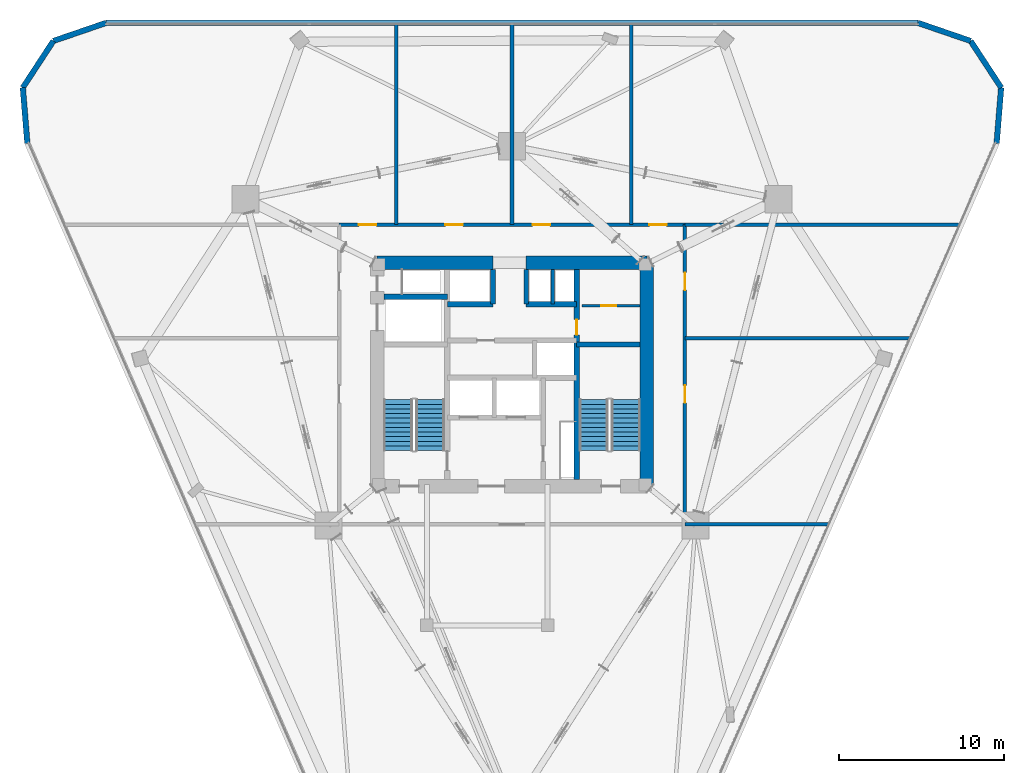
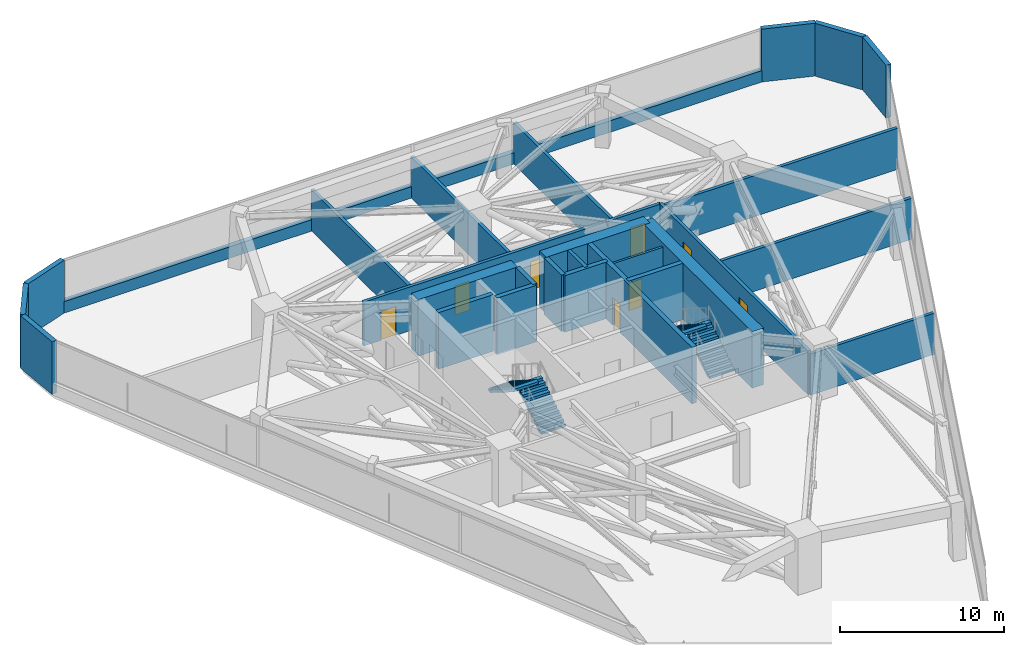
# One storey, part 13 of 14: 27 walls, 8 doors, 4 stair flights, 8 openings, 2 elements without a shape of their own.
"""IFC4 building model written with IfcOpenShell, lengths in metres."""

import ifcopenshell
import ifcopenshell.guid

model = None  # the IFC model being written
_history = None  # IfcOwnerHistory: only IFC2X3 demands one
_inside = {}  # id of a spatial element -> (the spatial element, [elements in it])
_under = {}  # id of a project, library or spatial element -> (it, [spatial elements below it])
_declared = {}  # id of a project -> (the project, [libraries it declares])
_typed = {}  # id of a type object -> (the type object, [elements of that type])
_made_of = {}  # id of a material, layer set ... -> (it, [elements and type objects made of it])


def new_model(schema):
    """Start an empty IFC model of exactly this schema.

    Asked for "IFC4X3", IfcOpenShell would pick the latest addendum, in which some entities
    have other attributes; the version numbers below select the first issue.
    IFC2X3 requires an IfcOwnerHistory on every rooted entity: one is made here for all.
    """
    global model, _history
    if schema == "IFC4X3":
        model = ifcopenshell.file(schema_version=(4, 3, 0, 0))
    else:
        model = ifcopenshell.file(schema=schema)
    _inside.clear()
    _under.clear()
    _declared.clear()
    _typed.clear()
    _made_of.clear()
    _history = None
    if model.schema == "IFC2X3":
        org = make("IfcOrganization", Name="unknown")
        user = make(
            "IfcPersonAndOrganization",
            ThePerson=make("IfcPerson", FamilyName="unknown"),
            TheOrganization=org,
        )
        app = make(
            "IfcApplication",
            ApplicationDeveloper=org,
            Version="unknown",
            ApplicationFullName="unknown",
            ApplicationIdentifier="unknown",
        )
        _history = make(
            "IfcOwnerHistory",
            OwningUser=user,
            OwningApplication=app,
            ChangeAction="ADDED",
            CreationDate=0,
        )
    return model


def make(cls, **values):
    """One entity of the class cls with the attributes given. An attribute that is None is left unset."""
    return model.create_entity(
        cls, **{name: value for name, value in values.items() if value is not None}
    )


def rooted(cls, **values):
    """An entity with a GlobalId (a new one), such as an element, a storey or a relation."""
    return make(cls, GlobalId=ifcopenshell.guid.new(), OwnerHistory=_history, **values)


def si_unit(unit_type, name, prefix=None):
    """IfcSIUnit, for example si_unit("LENGTHUNIT", "METRE", prefix="MILLI")."""
    return make("IfcSIUnit", UnitType=unit_type, Prefix=prefix, Name=name)


def assignment(units):
    """IfcUnitAssignment: the units of a project."""
    return None if units is None else make("IfcUnitAssignment", Units=units)


def point(xyz):
    """IfcCartesianPoint."""
    return None if xyz is None else make("IfcCartesianPoint", Coordinates=xyz)


def direction(xyz):
    """IfcDirection."""
    return None if xyz is None else make("IfcDirection", DirectionRatios=xyz)


def frame(location, z_axis=None, x_axis=None):
    """IfcAxis2Placement3D, a coordinate frame: its origin and axes. An axis left out is left unset."""
    return make(
        "IfcAxis2Placement3D",
        Location=point(location),
        Axis=direction(z_axis),
        RefDirection=direction(x_axis),
    )


def frame_2d(location, x_axis=None):
    """IfcAxis2Placement2D, a coordinate frame in the plane: its origin and x axis."""
    return make(
        "IfcAxis2Placement2D", Location=point(location), RefDirection=direction(x_axis)
    )


def origin():
    """The frame at (0, 0, 0) with its axes left unset."""
    return frame((0.0, 0.0, 0.0))


def place(relative_to, where):
    """IfcLocalPlacement: puts the frame where relative to a parent placement (None: the world)."""
    return make(
        "IfcLocalPlacement", PlacementRelTo=relative_to, RelativePlacement=where
    )


def context(
    kind, dimensions, precision=None, world=None, true_north=None, identifier=None
):
    """IfcGeometricRepresentationContext, for example the 3D "Model" context."""
    return make(
        "IfcGeometricRepresentationContext",
        ContextIdentifier=identifier,
        ContextType=kind,
        CoordinateSpaceDimension=dimensions,
        Precision=precision,
        WorldCoordinateSystem=world,
        TrueNorth=true_north,
    )


def subcontext(parent, identifier, kind, view, scale=None):
    """IfcGeometricRepresentationSubContext, for example "Body" below "Model"."""
    return make(
        "IfcGeometricRepresentationSubContext",
        ContextIdentifier=identifier,
        ContextType=kind,
        ParentContext=parent,
        TargetScale=scale,
        TargetView=view,
    )


def project(units=None, contexts=None):
    """IfcProject with its units and contexts."""
    return rooted(
        "IfcProject",
        Name="project",
        RepresentationContexts=contexts,
        UnitsInContext=assignment(units),
    )


def spatial(cls, under=None, at=None, **own):
    """A site, building, storey or space (cls), placed at a placement, below another one or the project."""
    s = rooted(cls, ObjectPlacement=at, **own)
    if under is not None:
        _under.setdefault(under.id(), (under, []))[1].append(s)
    return s


def polyline(points):
    """IfcPolyline through the points."""
    return make("IfcPolyline", Points=[point(p) for p in points])


def profile(cls, at=None, kind="AREA", **sizes):
    """A parametric profile (cls). Its sizes go by their IFC names, for example OverallWidth=200.0."""
    return make(cls, ProfileType=kind, Position=at, **sizes)


def rectangle(**sizes):
    """IfcRectangleProfileDef."""
    return profile("IfcRectangleProfileDef", **sizes)


def outline(outer, holes=None, kind="AREA"):
    """IfcArbitraryClosedProfileDef: a profile drawn as a closed curve; with holes, ...WithVoids."""
    if holes is None:
        return make("IfcArbitraryClosedProfileDef", ProfileType=kind, OuterCurve=outer)
    return make(
        "IfcArbitraryProfileDefWithVoids",
        ProfileType=kind,
        OuterCurve=outer,
        InnerCurves=holes,
    )


def extrude(swept, where, along, depth):
    """IfcExtrudedAreaSolid: the profile swept, set in the frame where, extruded along a direction by depth."""
    return make(
        "IfcExtrudedAreaSolid",
        SweptArea=swept,
        Position=where,
        ExtrudedDirection=direction(along),
        Depth=depth,
    )


def shape(context_of_items, identifier, shape_type, items):
    """IfcShapeRepresentation: the items that make up one representation, for example the "Body"."""
    return make(
        "IfcShapeRepresentation",
        ContextOfItems=context_of_items,
        RepresentationIdentifier=identifier,
        RepresentationType=shape_type,
        Items=items,
    )


def material(Name=None, Category=None):
    """IfcMaterial."""
    return make("IfcMaterial", Name=Name, Category=Category)


def layer(
    of_material, thickness, ventilated=None, Name=None, Category=None, Priority=None
):
    """IfcMaterialLayer: one layer of a wall or slab, of a material (None: an air gap)."""
    return make(
        "IfcMaterialLayer",
        Material=of_material,
        LayerThickness=thickness,
        IsVentilated=ventilated,
        Name=Name,
        Category=Category,
        Priority=Priority,
    )


def layer_set(layers, Name=None):
    """IfcMaterialLayerSet."""
    return make("IfcMaterialLayerSet", MaterialLayers=layers, LayerSetName=Name)


def made_of(thing, what):
    """Note that an element or type object is made of a material, layer set ...; save() writes the relation."""
    if what is not None:
        _made_of.setdefault(what.id(), (what, []))[1].append(thing)
    return thing


def type_object(cls, material=None, **own):
    """A type object (cls), such as IfcWallType, which elements share."""
    return made_of(rooted(cls, **own), material)


def element(
    cls,
    number,
    at=None,
    inside=None,
    cuts=None,
    type_object=None,
    material=None,
    context=None,
    identifier="Body",
    shape_type=None,
    held_by="IfcProductDefinitionShape",
    body=None,
    shapes=None,
    **own,
):
    """One element of the class cls, such as IfcWall. Its Tag is "e" and its number.

    at: its placement. inside: the storey or other place that contains it. cuts: it is an
    opening in that element (IfcRelVoidsElement). A single representation is given by context,
    identifier, shape_type and body (its items); several are given by shapes. held_by: the class
    of the entity that holds the representations. save() writes the other relations.
    """
    e = rooted(cls, Tag="e%d" % number, ObjectPlacement=at, **own)
    if body is not None:
        shapes = [shape(context, identifier, shape_type, body)]
    if shapes is not None:
        e.Representation = make(held_by, Representations=shapes)
    if inside is not None:
        _inside.setdefault(inside.id(), (inside, []))[1].append(e)
    if cuts is not None:
        rooted(
            "IfcRelVoidsElement", RelatingBuildingElement=cuts, RelatedOpeningElement=e
        )
    if type_object is not None:
        _typed.setdefault(type_object.id(), (type_object, []))[1].append(e)
    return made_of(e, material)


def fill(opening, filler):
    """IfcRelFillsElement: the door or window that sits in an opening."""
    return rooted(
        "IfcRelFillsElement",
        RelatingOpeningElement=opening,
        RelatedBuildingElement=filler,
    )


def aggregate(whole, parts):
    """IfcRelAggregates: a whole, such as a stair, and the parts it consists of."""
    return rooted("IfcRelAggregates", RelatingObject=whole, RelatedObjects=parts)


def save(model, path):
    """Write the relations noted so far, then the file.

    IfcRelAggregates (storeys below a building ...), IfcRelContainedInSpatialStructure (elements
    in a storey), IfcRelDefinesByType, IfcRelAssociatesMaterial and IfcRelDeclares: one each for
    every whole, place, type object, material and project.
    """
    for whole, parts in _under.values():
        aggregate(whole, parts)
    for where, things in _inside.values():
        rooted(
            "IfcRelContainedInSpatialStructure",
            RelatedElements=things,
            RelatingStructure=where,
        )
    for kind, things in _typed.values():
        rooted("IfcRelDefinesByType", RelatedObjects=things, RelatingType=kind)
    for what, things in _made_of.values():
        rooted("IfcRelAssociatesMaterial", RelatedObjects=things, RelatingMaterial=what)
    for by, libraries in _declared.values():
        rooted("IfcRelDeclares", RelatingContext=by, RelatedDefinitions=libraries)
    model.write(path)


model = new_model("IFC4")

# Units and contexts
model_context = context("Model", 3, precision=1e-05, world=origin(), true_north=direction((0.0, 1.0)))
body_context = subcontext(model_context, "Body", "Model", "MODEL_VIEW")
ifc_project = project(units=[si_unit("LENGTHUNIT", "METRE"), si_unit("AREAUNIT", "SQUARE_METRE"), si_unit("VOLUMEUNIT", "CUBIC_METRE"), si_unit("PLANEANGLEUNIT", "RADIAN"), si_unit("MASSUNIT", "GRAM", prefix="KILO")], contexts=[model_context])

# Site, building, storey
site_placement = place(None, origin())
site = spatial("IfcSite", under=ifc_project, at=site_placement, CompositionType="ELEMENT")
building_placement = place(site_placement, origin())
building = spatial("IfcBuilding", under=site, at=building_placement, Name="Talyreon Biosciences Tower", CompositionType="ELEMENT")
storey_placement = place(building_placement, frame((0.0, 0.0, 123.0)))
storey = spatial("IfcBuildingStorey", under=building, at=storey_placement, Name="L32", CompositionType="ELEMENT", Elevation=123.0)

# Walls
ifc_material_1 = material(Name="Concrete C50/60", Category="concrete")
ifc_layer_1 = layer(ifc_material_1, 0.219970703125)
ifc_layer_set_1 = layer_set([ifc_layer_1], Name="Concrete C50/60")
wall_type_1 = type_object("IfcWallType", Name="CoreShearWall_220", PredefinedType="SHEAR", material=ifc_layer_set_1)
wall_1_placement = place(storey_placement, frame((68.4599609375, 72.25, 0.0), z_axis=(0.0, 0.0, 1.0), x_axis=(0.0, 1.0, 0.0)))
element("IfcWall", 1, at=wall_1_placement, inside=storey, type_object=wall_type_1, Name="L32 Core Shaft Wall SWPHD", PredefinedType="SHEAR", context=body_context, shape_type="SweptSolid", body=[
    extrude(rectangle(XDim=2.10009765625, YDim=0.219970703125, at=frame_2d((1.050048828125, 0.0))), origin(), (0.0, 0.0, 1.0), 4.199951171875),
])
ifc_layer_2 = layer(ifc_material_1, 0.280029296875)
ifc_layer_set_2 = layer_set([ifc_layer_2], Name="Concrete C50/60")
wall_type_2 = type_object("IfcWallType", Name="CoreShearWall_280", PredefinedType="SHEAR", material=ifc_layer_set_2)
for number, where, z_axis, x_axis, name in (
    (2, (64.85009765625, 72.25, 0.0), (0.0, 0.0, 1.0), (0.0, 1.0, 0.0), "L32 Core Shaft Wall SWTHW"),
    (3, (66.85009765625, 72.25, 0.0), (0.0, 0.0, 1.0), (0.0, 1.0, 0.0), "L32 Core Shaft Wall SWTHE"),
):
    element("IfcWall", number, at=place(storey_placement, frame(where, z_axis=z_axis, x_axis=x_axis)), inside=storey, type_object=wall_type_2, Name=name, PredefinedType="SHEAR", context=body_context, shape_type="SweptSolid", body=[
        extrude(rectangle(XDim=2.10009765625, YDim=0.280029296875, at=frame_2d((1.050048828125, 0.0))), origin(), (0.0, 0.0, 1.0), 4.199951171875),
    ])

# Wall, opening, door
ifc_layer_3 = layer(ifc_material_1, 0.320068359375)
ifc_layer_set_3 = layer_set([ifc_layer_3], Name="Concrete C50/60")
wall_type_3 = type_object("IfcWallType", Name="CoreShearWall_320", PredefinedType="SHEAR", material=ifc_layer_set_3)
wall_2_placement = place(storey_placement, frame((69.909912109375, 61.64990234375, 0.0), z_axis=(0.0, 0.0, 1.0), x_axis=(0.0, 1.0, 0.0)))
wall_2 = element("IfcWall", 4, at=wall_2_placement, inside=storey, type_object=wall_type_3, Name="L32 Core Shaft Wall SW2W", PredefinedType="SHEAR", context=body_context, shape_type="SweptSolid", body=[
    extrude(rectangle(XDim=12.7001953125, YDim=0.320068359375, at=frame_2d((6.35009765625, 0.0))), origin(), (0.0, 0.0, 1.0), 4.199951171875),
])
opening_1_placement = place(wall_2_placement, frame((8.75, 0.0, 0.0)))
opening_1 = element("IfcOpeningElement", 5, at=opening_1_placement, cuts=wall_2, Name="Opening DR-L32-CSRV", PredefinedType="OPENING", context=body_context, shape_type="SweptSolid", body=[
    extrude(rectangle(XDim=0.919921875, YDim=2.050048828125, at=frame_2d((0.4599609375, 1.02490234375))), frame((0.0, 0.169921875, 0.0), z_axis=(0.0, -1.0, 0.0), x_axis=(1.0, 0.0, 0.0)), (0.0, 0.0, 1.0), 0.340087890625),
])
ifc_material_2 = material(Name="Painted steel fire-rated riser door", Category="steel")
door_type_1 = type_object("IfcDoorType", Name="RiserPlantAccessDoor_920x2050", OperationType="NOTDEFINED", PredefinedType="DOOR", material=ifc_material_2)
door_1_placement = place(opening_1_placement, origin())
door_1 = element("IfcDoor", 6, at=door_1_placement, inside=storey, type_object=door_type_1, Name="L32 Core Door DR-L32-CSRV", OperationType="SINGLE_SWING_RIGHT", OverallHeight=2.050048828125, OverallWidth=0.919921875, PredefinedType="DOOR", context=body_context, shape_type="SweptSolid", body=[
    extrude(rectangle(XDim=0.919921875, YDim=2.050048828125, at=frame_2d((0.4599609375, 1.02490234375))), frame((0.0, 0.02490234375, 0.0), z_axis=(0.0, -1.0, 0.0), x_axis=(1.0, 0.0, 0.0)), (0.0, 0.0, 1.0), 0.050048828125),
])
fill(opening_1, door_1)

# Walls
for number, where, z_axis, x_axis, name in (
    (7, (69.909912109375, 69.81005859375, 0.0), (0.0, 0.0, 1.0), (1.0, 0.0, 0.0), "L32 Core Shaft Wall SW2N"),
    (8, (58.25, 72.699951171875, 0.0), (0.0, 0.0, 1.0), (1.0, 0.0, 0.0), "L32 Core Shaft Wall SWGLN"),
):
    element("IfcWall", number, at=place(storey_placement, frame(where, z_axis=z_axis, x_axis=x_axis)), inside=storey, type_object=wall_type_3, Name=name, PredefinedType="SHEAR", context=body_context, shape_type="SweptSolid", body=[
        extrude(rectangle(XDim=3.840087890625, YDim=0.320068359375, at=frame_2d((1.919921875, 0.0))), origin(), (0.0, 0.0, 1.0), 4.199951171875),
    ])
wall_3_placement = place(storey_placement, frame((62.090087890625, 72.25, 0.0), z_axis=(0.0, 0.0, 1.0), x_axis=(1.0, 0.0, 0.0)))
element("IfcWall", 9, at=wall_3_placement, inside=storey, type_object=wall_type_3, Name="L32 Core Shaft Wall SWNPW", PredefinedType="SHEAR", context=body_context, shape_type="SweptSolid", body=[
    extrude(rectangle(XDim=2.760009765625, YDim=0.320068359375, at=frame_2d((1.3798828125, 0.0))), origin(), (0.0, 0.0, 1.0), 4.199951171875),
])
wall_4_placement = place(storey_placement, frame((66.85009765625, 72.25, 0.0), z_axis=(0.0, 0.0, 1.0), x_axis=(1.0, 0.0, 0.0)))
element("IfcWall", 10, at=wall_4_placement, inside=storey, type_object=wall_type_3, Name="L32 Core Shaft Wall SWNPE", PredefinedType="SHEAR", context=body_context, shape_type="SweptSolid", body=[
    extrude(rectangle(XDim=3.059814453125, YDim=0.320068359375, at=frame_2d((1.52978515625, 0.0))), origin(), (0.0, 0.0, 1.0), 4.199951171875),
])
ifc_material_3 = material(Name="Concrete C60/75", Category="concrete")
ifc_layer_4 = layer(ifc_material_3, 0.800048828125)
ifc_layer_set_4 = layer_set([ifc_layer_4], Name="Concrete C60/75")
wall_type_4 = type_object("IfcWallType", Name="CoreShearWall_800", PredefinedType="SHEAR", material=ifc_layer_set_4)
wall_5_placement = place(storey_placement, frame((74.14990234375, 61.25, 0.0), z_axis=(0.0, 0.0, 1.0), x_axis=(0.0, 1.0, 0.0)))
element("IfcWall", 11, at=wall_5_placement, inside=storey, type_object=wall_type_4, Name="L32 Core Shear Wall E", PredefinedType="SHEAR", context=body_context, shape_type="SweptSolid", body=[
    extrude(rectangle(XDim=13.5, YDim=0.800048828125, at=frame_2d((6.75, 0.0))), origin(), (0.0, 0.0, 1.0), 4.199951171875),
])
wall_6_placement = place(storey_placement, frame((74.14990234375, 74.75, 0.0), z_axis=(0.0, 0.0, 1.0), x_axis=(-1.0, 0.0, 0.0)))
element("IfcWall", 12, at=wall_6_placement, inside=storey, type_object=wall_type_4, Name="L32 Core Shear Wall NE", PredefinedType="SHEAR", context=body_context, shape_type="SweptSolid", body=[
    extrude(rectangle(XDim=7.2998046875, YDim=0.800048828125, at=frame_2d((3.64990234375, 0.0))), origin(), (0.0, 0.0, 1.0), 4.199951171875),
])
wall_7_placement = place(storey_placement, frame((64.85009765625, 74.75, 0.0), z_axis=(0.0, 0.0, 1.0), x_axis=(-1.0, 0.0, 0.0)))
element("IfcWall", 13, at=wall_7_placement, inside=storey, type_object=wall_type_4, Name="L32 Core Shear Wall NW", PredefinedType="SHEAR", context=body_context, shape_type="SweptSolid", body=[
    extrude(rectangle(XDim=7.0, YDim=0.800048828125, at=frame_2d((3.5, 0.0))), origin(), (0.0, 0.0, 1.0), 4.199951171875),
])
ifc_material_4 = material(Name="Gypsum fireboard acoustic stud", Category="gypsum")
ifc_layer_5 = layer(ifc_material_4, 0.219970703125)
ifc_layer_set_5 = layer_set([ifc_layer_5], Name="Gypsum fireboard acoustic stud")
wall_type_5 = type_object("IfcWallType", Name="CorridorRatedPartition_220", PredefinedType="PARTITIONING", material=ifc_layer_set_5)
for number, where, z_axis, x_axis, name in (
    (14, (59.0, 77.050048828125, 0.0), (0.0, 0.0, 1.0), (0.0, 1.0, 0.0), "L32 Interior Wall IW-L32-ND1"),
    (15, (66.0, 77.050048828125, 0.0), (0.0, 0.0, 1.0), (0.0, 1.0, 0.0), "L32 Interior Wall IW-L32-ND2"),
    (16, (73.199951171875, 77.050048828125, 0.0), (0.0, 0.0, 1.0), (0.0, 1.0, 0.0), "L32 Interior Wall IW-L32-ND3"),
):
    element("IfcWall", number, at=place(storey_placement, frame(where, z_axis=z_axis, x_axis=x_axis)), inside=storey, type_object=wall_type_5, Name=name, PredefinedType="PARTITIONING", context=body_context, shape_type="SweptSolid", body=[
        extrude(rectangle(XDim=12.117919921875, YDim=0.219970703125, at=frame_2d((6.05908203125, 0.0))), origin(), (0.0, 0.0, 1.0), 3.054931640625),
    ])
wall_8_placement = place(storey_placement, frame((76.449951171875, 77.050048828125, 0.0), z_axis=(0.0, 0.0, 1.0), x_axis=(1.0, 0.0, 0.0)))
element("IfcWall", 17, at=wall_8_placement, inside=storey, type_object=wall_type_5, Name="L32 Interior Wall IW-L32-NDIV-NE", PredefinedType="PARTITIONING", context=body_context, shape_type="SweptSolid", body=[
    extrude(rectangle(XDim=16.59716796875, YDim=0.219970703125, at=frame_2d((8.298583984375, 0.0))), origin(), (0.0, 0.0, 1.0), 3.054931640625),
])
wall_9_placement = place(storey_placement, frame((76.449951171875, 70.199951171875, 0.0), z_axis=(0.0, 0.0, 1.0), x_axis=(1.0, 0.0, 0.0)))
element("IfcWall", 18, at=wall_9_placement, inside=storey, type_object=wall_type_5, Name="L32 Interior Wall IW-L32-ED1", PredefinedType="PARTITIONING", context=body_context, shape_type="SweptSolid", body=[
    extrude(rectangle(XDim=13.607177734375, YDim=0.219970703125, at=frame_2d((6.8037109375, 0.0))), origin(), (0.0, 0.0, 1.0), 3.054931640625),
])
wall_10_placement = place(storey_placement, frame((76.449951171875, 58.949951171875, 0.0), z_axis=(0.0, 0.0, 1.0), x_axis=(1.0, 0.0, 0.0)))
element("IfcWall", 19, at=wall_10_placement, inside=storey, type_object=wall_type_5, Name="L32 Interior Wall IW-L32-PDIV-SE", PredefinedType="PARTITIONING", context=body_context, shape_type="SweptSolid", body=[
    extrude(rectangle(XDim=8.696533203125, YDim=0.219970703125, at=frame_2d((4.34814453125, 0.0))), origin(), (0.0, 0.0, 1.0), 3.054931640625),
])

# Wall, openings, doors
wall_11_placement = place(storey_placement, frame((76.449951171875, 58.949951171875, 0.0), z_axis=(0.0, 0.0, 1.0), x_axis=(0.0, 1.0, 0.0)))
wall_11 = element("IfcWall", 20, at=wall_11_placement, inside=storey, type_object=wall_type_5, Name="L32 Interior Wall IW-L32-PC-E", PredefinedType="PARTITIONING", context=body_context, shape_type="SweptSolid", body=[
    extrude(rectangle(XDim=18.10009765625, YDim=0.219970703125, at=frame_2d((9.050048828125, 0.0))), origin(), (0.0, 0.0, 1.0), 3.2548828125),
])
opening_2_placement = place(wall_11_placement, frame((7.340087890625, 0.0, 0.0)))
opening_2 = element("IfcOpeningElement", 21, at=opening_2_placement, cuts=wall_11, Name="Opening DR-L32-PL-EB", PredefinedType="OPENING", context=body_context, shape_type="SweptSolid", body=[
    extrude(rectangle(XDim=1.050048828125, YDim=2.14990234375, at=frame_2d((0.52490234375, 1.074951171875))), frame((0.0, 0.119873046875, 0.0), z_axis=(0.0, -1.0, 0.0), x_axis=(1.0, 0.0, 0.0)), (0.0, 0.0, 1.0), 0.239990234375),
])
opening_3_placement = place(wall_11_placement, frame((14.14990234375, 0.0, 0.0)))
opening_3 = element("IfcOpeningElement", 22, at=opening_3_placement, cuts=wall_11, Name="Opening DR-L32-PL-EA", PredefinedType="OPENING", context=body_context, shape_type="SweptSolid", body=[
    extrude(rectangle(XDim=1.050048828125, YDim=2.14990234375, at=frame_2d((0.52490234375, 1.074951171875))), frame((0.0, 0.119873046875, 0.0), z_axis=(0.0, -1.0, 0.0), x_axis=(1.0, 0.0, 0.0)), (0.0, 0.0, 1.0), 0.239990234375),
])
ifc_material_5 = material(Name="Acoustic timber-core laboratory door", Category="wood")
door_type_2 = type_object("IfcDoorType", Name="DryLabSingleDoor_1050x2150", OperationType="NOTDEFINED", PredefinedType="DOOR", material=ifc_material_5)
door_2_placement = place(opening_2_placement, origin())
door_2 = element("IfcDoor", 23, at=door_2_placement, inside=storey, type_object=door_type_2, Name="L32 Interior Door DR-L32-PL-EB", OperationType="SINGLE_SWING_RIGHT", OverallHeight=2.14990234375, OverallWidth=1.050048828125, PredefinedType="DOOR", context=body_context, shape_type="SweptSolid", body=[
    extrude(rectangle(XDim=1.050048828125, YDim=2.14990234375, at=frame_2d((0.52490234375, 1.074951171875))), frame((0.0, 0.02490234375, 0.0), z_axis=(0.0, -1.0, 0.0), x_axis=(1.0, 0.0, 0.0)), (0.0, 0.0, 1.0), 0.050048828125),
])
fill(opening_2, door_2)
door_3_placement = place(opening_3_placement, origin())
door_3 = element("IfcDoor", 24, at=door_3_placement, inside=storey, type_object=door_type_2, Name="L32 Interior Door DR-L32-PL-EA", OperationType="SINGLE_SWING_RIGHT", OverallHeight=2.14990234375, OverallWidth=1.050048828125, PredefinedType="DOOR", context=body_context, shape_type="SweptSolid", body=[
    extrude(rectangle(XDim=1.050048828125, YDim=2.14990234375, at=frame_2d((0.52490234375, 1.074951171875))), frame((0.0, 0.02490234375, 0.0), z_axis=(0.0, -1.0, 0.0), x_axis=(1.0, 0.0, 0.0)), (0.0, 0.0, 1.0), 0.050048828125),
])
fill(opening_3, door_3)

wall_12_placement = place(storey_placement, frame((55.550048828125, 77.050048828125, 0.0), z_axis=(0.0, 0.0, 1.0), x_axis=(1.0, 0.0, 0.0)))
wall_12 = element("IfcWall", 25, at=wall_12_placement, inside=storey, type_object=wall_type_5, Name="L32 Interior Wall IW-L32-PC-N", PredefinedType="PARTITIONING", context=body_context, shape_type="SweptSolid", body=[
    extrude(rectangle(XDim=20.89990234375, YDim=0.219970703125, at=frame_2d((10.449951171875, 0.0))), origin(), (0.0, 0.0, 1.0), 3.2548828125),
])
opening_4_placement = place(wall_12_placement, frame((1.199951171875, 0.0, 0.0)))
opening_4 = element("IfcOpeningElement", 26, at=opening_4_placement, cuts=wall_12, Name="Opening DR-L32-PL-NWA", PredefinedType="OPENING", context=body_context, shape_type="SweptSolid", body=[
    extrude(rectangle(XDim=1.050048828125, YDim=2.14990234375, at=frame_2d((0.52490234375, 1.074951171875))), frame((0.0, 0.119873046875, 0.0), z_axis=(0.0, -1.0, 0.0), x_axis=(1.0, 0.0, 0.0)), (0.0, 0.0, 1.0), 0.239990234375),
])
opening_5_placement = place(wall_12_placement, frame((6.425048828125, 0.0, 0.0)))
opening_5 = element("IfcOpeningElement", 27, at=opening_5_placement, cuts=wall_12, Name="Opening DR-L32-PL-NWB", PredefinedType="OPENING", context=body_context, shape_type="SweptSolid", body=[
    extrude(rectangle(XDim=1.050048828125, YDim=2.14990234375, at=frame_2d((0.52490234375, 1.074951171875))), frame((0.0, 0.119873046875, 0.0), z_axis=(0.0, -1.0, 0.0), x_axis=(1.0, 0.0, 0.0)), (0.0, 0.0, 1.0), 0.239990234375),
])
opening_6_placement = place(wall_12_placement, frame((11.701904296875, 0.0, 0.0)))
opening_6 = element("IfcOpeningElement", 28, at=opening_6_placement, cuts=wall_12, Name="Opening DR-L32-PL-NEA", PredefinedType="OPENING", context=body_context, shape_type="SweptSolid", body=[
    extrude(rectangle(XDim=1.050048828125, YDim=2.14990234375, at=frame_2d((0.52490234375, 1.074951171875))), frame((0.0, 0.119873046875, 0.0), z_axis=(0.0, -1.0, 0.0), x_axis=(1.0, 0.0, 0.0)), (0.0, 0.0, 1.0), 0.239990234375),
])
opening_7_placement = place(wall_12_placement, frame((18.75, 0.0, 0.0)))
opening_7 = element("IfcOpeningElement", 29, at=opening_7_placement, cuts=wall_12, Name="Opening DR-L32-PL-NEB", PredefinedType="OPENING", context=body_context, shape_type="SweptSolid", body=[
    extrude(rectangle(XDim=1.050048828125, YDim=2.14990234375, at=frame_2d((0.52490234375, 1.074951171875))), frame((0.0, 0.119873046875, 0.0), z_axis=(0.0, -1.0, 0.0), x_axis=(1.0, 0.0, 0.0)), (0.0, 0.0, 1.0), 0.239990234375),
])
door_4_placement = place(opening_4_placement, origin())
door_4 = element("IfcDoor", 30, at=door_4_placement, inside=storey, type_object=door_type_2, Name="L32 Interior Door DR-L32-PL-NWA", OperationType="SINGLE_SWING_RIGHT", OverallHeight=2.14990234375, OverallWidth=1.050048828125, PredefinedType="DOOR", context=body_context, shape_type="SweptSolid", body=[
    extrude(rectangle(XDim=1.050048828125, YDim=2.14990234375, at=frame_2d((0.52490234375, 1.074951171875))), frame((0.0, 0.02490234375, 0.0), z_axis=(0.0, -1.0, 0.0), x_axis=(1.0, 0.0, 0.0)), (0.0, 0.0, 1.0), 0.050048828125),
])
fill(opening_4, door_4)
door_5_placement = place(opening_5_placement, origin())
door_5 = element("IfcDoor", 31, at=door_5_placement, inside=storey, type_object=door_type_2, Name="L32 Interior Door DR-L32-PL-NWB", OperationType="SINGLE_SWING_RIGHT", OverallHeight=2.14990234375, OverallWidth=1.050048828125, PredefinedType="DOOR", context=body_context, shape_type="SweptSolid", body=[
    extrude(rectangle(XDim=1.050048828125, YDim=2.14990234375, at=frame_2d((0.52490234375, 1.074951171875))), frame((0.0, 0.02490234375, 0.0), z_axis=(0.0, -1.0, 0.0), x_axis=(1.0, 0.0, 0.0)), (0.0, 0.0, 1.0), 0.050048828125),
])
fill(opening_5, door_5)
door_6_placement = place(opening_6_placement, origin())
door_6 = element("IfcDoor", 32, at=door_6_placement, inside=storey, type_object=door_type_2, Name="L32 Interior Door DR-L32-PL-NEA", OperationType="SINGLE_SWING_LEFT", OverallHeight=2.14990234375, OverallWidth=1.050048828125, PredefinedType="DOOR", context=body_context, shape_type="SweptSolid", body=[
    extrude(rectangle(XDim=1.050048828125, YDim=2.14990234375, at=frame_2d((0.52490234375, 1.074951171875))), frame((0.0, 0.02490234375, 0.0), z_axis=(0.0, -1.0, 0.0), x_axis=(1.0, 0.0, 0.0)), (0.0, 0.0, 1.0), 0.050048828125),
])
fill(opening_6, door_6)
door_7_placement = place(opening_7_placement, origin())
door_7 = element("IfcDoor", 33, at=door_7_placement, inside=storey, type_object=door_type_2, Name="L32 Interior Door DR-L32-PL-NEB", OperationType="SINGLE_SWING_RIGHT", OverallHeight=2.14990234375, OverallWidth=1.050048828125, PredefinedType="DOOR", context=body_context, shape_type="SweptSolid", body=[
    extrude(rectangle(XDim=1.050048828125, YDim=2.14990234375, at=frame_2d((0.52490234375, 1.074951171875))), frame((0.0, 0.02490234375, 0.0), z_axis=(0.0, -1.0, 0.0), x_axis=(1.0, 0.0, 0.0)), (0.0, 0.0, 1.0), 0.050048828125),
])
fill(opening_7, door_7)

# Wall, opening, door
ifc_material_6 = material(Name="Gypsum acoustic stud partition", Category="gypsum")
ifc_layer_6 = layer(ifc_material_6, 0.159912109375)
ifc_layer_set_6 = layer_set([ifc_layer_6], Name="Gypsum acoustic stud partition")
wall_type_6 = type_object("IfcWallType", Name="LabSeparationPartition_160", PredefinedType="PARTITIONING", material=ifc_layer_set_6)
wall_13_placement = place(storey_placement, frame((70.22998046875, 72.14990234375, 0.0), z_axis=(0.0, 0.0, 1.0), x_axis=(1.0, 0.0, 0.0)))
wall_13 = element("IfcWall", 34, at=wall_13_placement, inside=storey, type_object=wall_type_6, Name="L32 Interior Wall IW-L32-CSRV-H", PredefinedType="PARTITIONING", context=body_context, shape_type="SweptSolid", body=[
    extrude(rectangle(XDim=3.52001953125, YDim=0.159912109375, at=frame_2d((1.760009765625, 0.0))), origin(), (0.0, 0.0, 1.0), 3.925048828125),
])
opening_8_placement = place(wall_13_placement, frame((1.14990234375, 0.0, 0.0)))
opening_8 = element("IfcOpeningElement", 35, at=opening_8_placement, cuts=wall_13, Name="Opening DR-L32-CSRV-I", PredefinedType="OPENING", context=body_context, shape_type="SweptSolid", body=[
    extrude(rectangle(XDim=0.919921875, YDim=2.050048828125, at=frame_2d((0.4599609375, 1.02490234375))), frame((0.0, 0.08984375, 0.0), z_axis=(0.0, -1.0, 0.0), x_axis=(1.0, 0.0, 0.0)), (0.0, 0.0, 1.0), 0.179931640625),
])
door_8_placement = place(opening_8_placement, origin())
door_8 = element("IfcDoor", 36, at=door_8_placement, inside=storey, type_object=door_type_1, Name="L32 Interior Door DR-L32-CSRV-I", OperationType="SINGLE_SWING_LEFT", OverallHeight=2.050048828125, OverallWidth=0.919921875, PredefinedType="DOOR", context=body_context, shape_type="SweptSolid", body=[
    extrude(rectangle(XDim=0.919921875, YDim=2.050048828125, at=frame_2d((0.4599609375, 1.02490234375))), frame((0.0, 0.02490234375, 0.0), z_axis=(0.0, -1.0, 0.0), x_axis=(1.0, 0.0, 0.0)), (0.0, 0.0, 1.0), 0.050048828125),
])
fill(opening_8, door_8)

# Walls
ifc_material_7 = material(Name="Precast concrete C45/55", Category="concrete")
ifc_layer_7 = layer(ifc_material_7, 0.340087890625)
ifc_layer_set_7 = layer_set([ifc_layer_7], Name="Precast concrete C45/55")
wall_type_7 = type_object("IfcWallType", Name="PrecastConcreteSpandrelWall_340", PredefinedType="STANDARD", material=ifc_layer_set_7)
wall_14_placement = place(storey_placement, frame((36.711181640625, 81.97265625, 0.0), z_axis=(0.0, 0.0, 1.0), x_axis=(-0.081111170457, 0.996705060701, 0.0)))
element("IfcWall", 37, at=wall_14_placement, inside=storey, type_object=wall_type_7, Name="L32 Rounded-Corner Concrete Pier 01", PredefinedType="STANDARD", context=body_context, shape_type="SweptSolid", body=[
    extrude(rectangle(XDim=3.374267578125, YDim=0.340087890625, at=frame_2d((1.68701171875, 0.0))), origin(), (0.0, 0.0, 1.0), 3.925048828125),
])
for number, where, z_axis, x_axis, name in (
    (38, (36.4375, 85.335693359375, 0.0), (0.0, 0.0, 1.0), (0.547717201276, 0.836663532984, 0.0), "L32 Rounded-Corner Concrete Pier 02"),
    (39, (38.285400390625, 88.158447265625, 0.0), (0.0, 0.0, 1.0), (0.945919936879, 0.324400174191, 0.0), "L32 Rounded-Corner Concrete Pier 03"),
):
    element("IfcWall", number, at=place(storey_placement, frame(where, z_axis=z_axis, x_axis=x_axis)), inside=storey, type_object=wall_type_7, Name=name, PredefinedType="STANDARD", context=body_context, shape_type="SweptSolid", body=[
        extrude(rectangle(XDim=3.373779296875, YDim=0.340087890625, at=frame_2d((1.68701171875, 0.0))), origin(), (0.0, 0.0, 1.0), 3.925048828125),
    ])
wall_15_placement = place(storey_placement, frame((41.476806640625, 89.2529296875, 0.0), z_axis=(0.0, 0.0, 1.0), x_axis=(1.0, 0.0, 0.0)))
element("IfcWall", 40, at=wall_15_placement, inside=storey, type_object=wall_type_7, Name="L32 Expressed Concrete Sill Wall 04", PredefinedType="STANDARD", context=body_context, shape_type="SweptSolid", body=[
    extrude(rectangle(XDim=49.04638671875, YDim=0.340087890625, at=frame_2d((24.523193359375, 0.0))), origin(), (0.0, 0.0, 1.0), 0.85009765625),
])
for number, where, z_axis, x_axis, name in (
    (41, (90.523193359375, 89.2529296875, 0.0), (0.0, 0.0, 1.0), (0.945919936879, -0.324400174191, 0.0), "L32 Rounded-Corner Concrete Pier 05"),
    (42, (93.714599609375, 88.158447265625, 0.0), (0.0, 0.0, 1.0), (0.547717201276, -0.836663532984, 0.0), "L32 Rounded-Corner Concrete Pier 06"),
):
    element("IfcWall", number, at=place(storey_placement, frame(where, z_axis=z_axis, x_axis=x_axis)), inside=storey, type_object=wall_type_7, Name=name, PredefinedType="STANDARD", context=body_context, shape_type="SweptSolid", body=[
        extrude(rectangle(XDim=3.373779296875, YDim=0.340087890625, at=frame_2d((1.68701171875, 0.0))), origin(), (0.0, 0.0, 1.0), 3.925048828125),
    ])
wall_16_placement = place(storey_placement, frame((95.5625, 85.335693359375, 0.0), z_axis=(0.0, 0.0, 1.0), x_axis=(-0.081111170457, -0.996705060701, 0.0)))
element("IfcWall", 43, at=wall_16_placement, inside=storey, type_object=wall_type_7, Name="L32 Rounded-Corner Concrete Pier 07", PredefinedType="STANDARD", context=body_context, shape_type="SweptSolid", body=[
    extrude(rectangle(XDim=3.374267578125, YDim=0.340087890625, at=frame_2d((1.68701171875, 0.0))), origin(), (0.0, 0.0, 1.0), 3.925048828125),
])

# Stair, stair flights
ifc_material_8 = material(Name="Concrete C40/50", Category="concrete")
stair_type = type_object("IfcStairType", Name="DoglegEscapeStair_4200", PredefinedType="HALF_TURN_STAIR", material=ifc_material_8)
stair_1_placement = place(storey_placement, origin())
stair_1 = element("IfcStair", 44, at=stair_1_placement, inside=storey, type_object=stair_type, Name="L32 Core Escape Stair 1", PredefinedType="HALF_TURN_STAIR")
stair_flight_type = type_object("IfcStairFlightType", Name="PrecastStairFlight_4200", PredefinedType="STRAIGHT", material=ifc_material_8)
stair_flight_1_placement = place(storey_placement, frame((61.06005859375, 63.39990234375, 0.0), z_axis=(0.0, 0.0, 1.0), x_axis=(0.0, 1.0, 0.0)))
stair_flight_1 = element("IfcStairFlight", 45, at=stair_flight_1_placement, type_object=stair_flight_type, Name="ST-1 flight 1", NumberOfRisers=12, NumberOfTreads=11, PredefinedType="STRAIGHT", RiserHeight=0.175, TreadLength=0.28, context=body_context, shape_type="SweptSolid", body=[
    extrude(outline(polyline([(0.0, 0.0), (0.0, 0.175048828125), (0.280029296875, 0.175048828125), (0.280029296875, 0.35009765625), (0.56005859375, 0.35009765625), (0.56005859375, 0.52490234375), (0.840087890625, 0.52490234375), (0.840087890625, 0.699951171875), (1.1201171875, 0.699951171875), (1.1201171875, 0.875), (1.39990234375, 0.875), (1.39990234375, 1.050048828125), (1.679931640625, 1.050048828125), (1.679931640625, 1.22509765625), (1.9599609375, 1.22509765625), (1.9599609375, 1.39990234375), (2.239990234375, 1.39990234375), (2.239990234375, 1.574951171875), (2.52001953125, 1.574951171875), (2.52001953125, 1.75), (2.800048828125, 1.75), (2.800048828125, 1.925048828125), (3.080078125, 1.925048828125), (3.080078125, 2.10009765625), (3.080078125, 1.748291015625), (0.28271484375, 0.0), (0.0, 0.0)])), frame((0.0, 0.8701171875, 0.0), z_axis=(0.0, -1.0, 0.0), x_axis=(1.0, 0.0, 0.0)), (0.0, 0.0, 1.0), 1.739990234375),
])
stair_flight_2_placement = place(storey_placement, frame((59.1201171875, 66.47998046875, 2.10009765625), z_axis=(0.0, 0.0, 1.0), x_axis=(0.0, -1.0, 0.0)))
stair_flight_2 = element("IfcStairFlight", 46, at=stair_flight_2_placement, type_object=stair_flight_type, Name="ST-1 flight 2", NumberOfRisers=12, NumberOfTreads=11, PredefinedType="STRAIGHT", RiserHeight=0.175, TreadLength=0.28, context=body_context, shape_type="SweptSolid", body=[
    extrude(outline(polyline([(0.0, 0.0), (0.0, 0.175048828125), (0.280029296875, 0.175048828125), (0.280029296875, 0.35009765625), (0.56005859375, 0.35009765625), (0.56005859375, 0.52490234375), (0.840087890625, 0.52490234375), (0.840087890625, 0.699951171875), (1.1201171875, 0.699951171875), (1.1201171875, 0.875), (1.39990234375, 0.875), (1.39990234375, 1.050048828125), (1.679931640625, 1.050048828125), (1.679931640625, 1.22509765625), (1.9599609375, 1.22509765625), (1.9599609375, 1.39990234375), (2.239990234375, 1.39990234375), (2.239990234375, 1.574951171875), (2.52001953125, 1.574951171875), (2.52001953125, 1.75), (2.800048828125, 1.75), (2.800048828125, 1.925048828125), (3.080078125, 1.925048828125), (3.080078125, 2.10009765625), (3.080078125, 1.748291015625), (0.28271484375, 0.0), (0.0, 0.0)])), frame((0.0, 0.8701171875, 0.0), z_axis=(0.0, -1.0, 0.0), x_axis=(1.0, 0.0, 0.0)), (0.0, 0.0, 1.0), 1.739990234375),
])
aggregate(stair_1, [stair_flight_1, stair_flight_2])

stair_2_placement = place(storey_placement, origin())
stair_2 = element("IfcStair", 47, at=stair_2_placement, inside=storey, type_object=stair_type, Name="L32 Core Escape Stair 2", PredefinedType="HALF_TURN_STAIR")
stair_flight_3_placement = place(storey_placement, frame((72.8798828125, 63.39990234375, 0.0), z_axis=(0.0, 0.0, 1.0), x_axis=(0.0, 1.0, 0.0)))
stair_flight_3 = element("IfcStairFlight", 48, at=stair_flight_3_placement, type_object=stair_flight_type, Name="ST-2 flight 1", NumberOfRisers=12, NumberOfTreads=11, PredefinedType="STRAIGHT", RiserHeight=0.175, TreadLength=0.28, context=body_context, shape_type="SweptSolid", body=[
    extrude(outline(polyline([(0.0, 0.0), (0.0, 0.175048828125), (0.280029296875, 0.175048828125), (0.280029296875, 0.35009765625), (0.56005859375, 0.35009765625), (0.56005859375, 0.52490234375), (0.840087890625, 0.52490234375), (0.840087890625, 0.699951171875), (1.1201171875, 0.699951171875), (1.1201171875, 0.875), (1.39990234375, 0.875), (1.39990234375, 1.050048828125), (1.679931640625, 1.050048828125), (1.679931640625, 1.22509765625), (1.9599609375, 1.22509765625), (1.9599609375, 1.39990234375), (2.239990234375, 1.39990234375), (2.239990234375, 1.574951171875), (2.52001953125, 1.574951171875), (2.52001953125, 1.75), (2.800048828125, 1.75), (2.800048828125, 1.925048828125), (3.080078125, 1.925048828125), (3.080078125, 2.10009765625), (3.080078125, 1.748291015625), (0.28271484375, 0.0), (0.0, 0.0)])), frame((0.0, 0.8701171875, 0.0), z_axis=(0.0, -1.0, 0.0), x_axis=(1.0, 0.0, 0.0)), (0.0, 0.0, 1.0), 1.739990234375),
])
stair_flight_4_placement = place(storey_placement, frame((70.93994140625, 66.47998046875, 2.10009765625), z_axis=(0.0, 0.0, 1.0), x_axis=(0.0, -1.0, 0.0)))
stair_flight_4 = element("IfcStairFlight", 49, at=stair_flight_4_placement, type_object=stair_flight_type, Name="ST-2 flight 2", NumberOfRisers=12, NumberOfTreads=11, PredefinedType="STRAIGHT", RiserHeight=0.175, TreadLength=0.28, context=body_context, shape_type="SweptSolid", body=[
    extrude(outline(polyline([(0.0, 0.0), (0.0, 0.175048828125), (0.280029296875, 0.175048828125), (0.280029296875, 0.35009765625), (0.56005859375, 0.35009765625), (0.56005859375, 0.52490234375), (0.840087890625, 0.52490234375), (0.840087890625, 0.699951171875), (1.1201171875, 0.699951171875), (1.1201171875, 0.875), (1.39990234375, 0.875), (1.39990234375, 1.050048828125), (1.679931640625, 1.050048828125), (1.679931640625, 1.22509765625), (1.9599609375, 1.22509765625), (1.9599609375, 1.39990234375), (2.239990234375, 1.39990234375), (2.239990234375, 1.574951171875), (2.52001953125, 1.574951171875), (2.52001953125, 1.75), (2.800048828125, 1.75), (2.800048828125, 1.925048828125), (3.080078125, 1.925048828125), (3.080078125, 2.10009765625), (3.080078125, 1.748291015625), (0.28271484375, 0.0), (0.0, 0.0)])), frame((0.0, 0.8701171875, 0.0), z_axis=(0.0, -1.0, 0.0), x_axis=(1.0, 0.0, 0.0)), (0.0, 0.0, 1.0), 1.739990234375),
])
aggregate(stair_2, [stair_flight_3, stair_flight_4])

save(model, "model.ifc")
